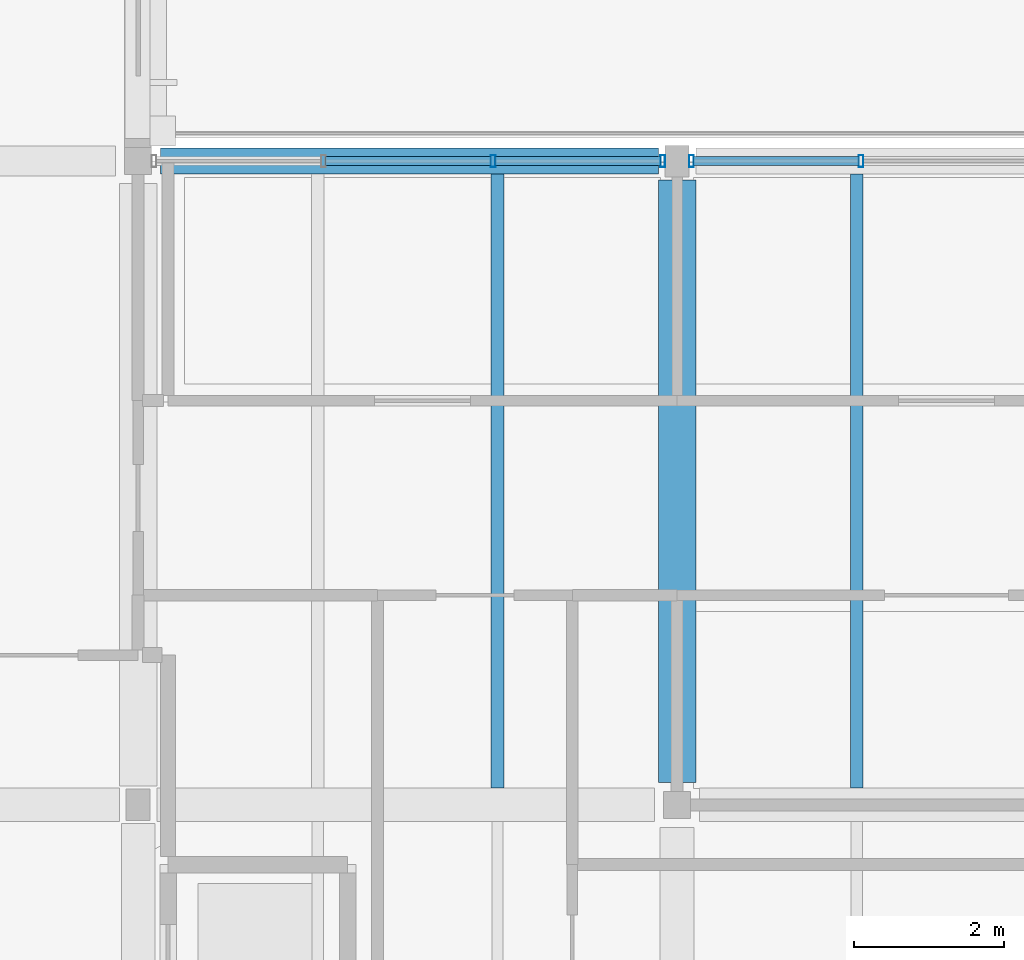
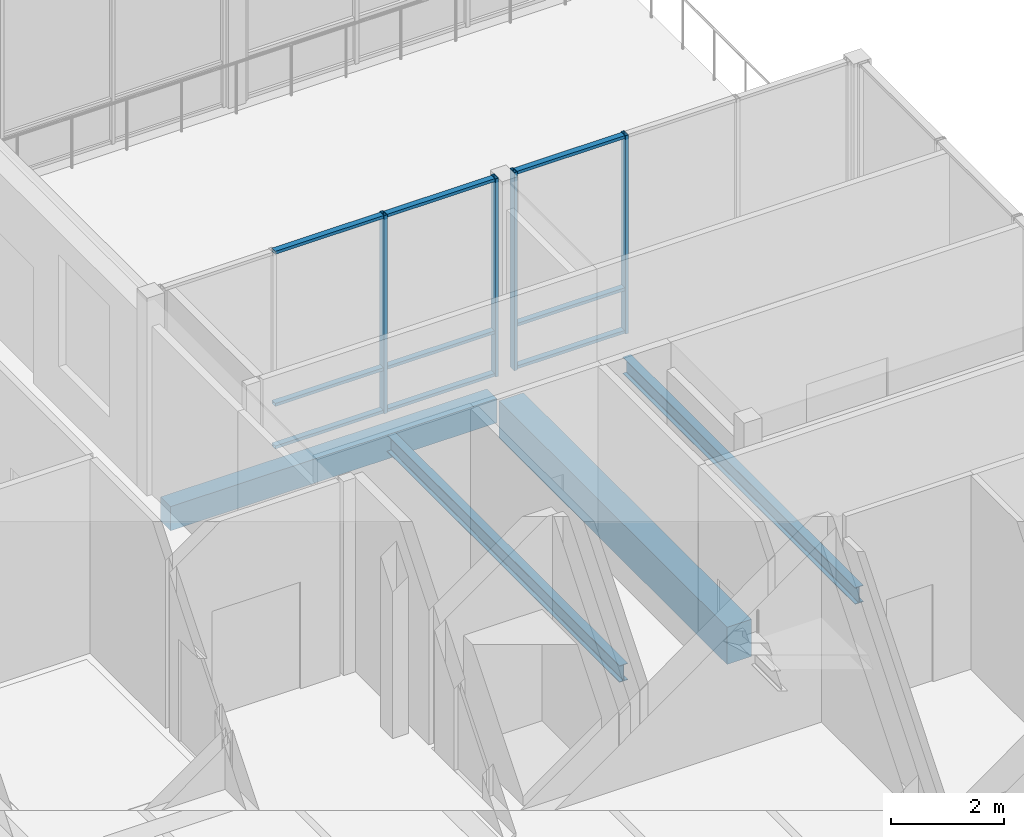
# One storey, part 85 of 146: 13 members, 4 beams, 2 elements without a shape of their own.
"""IFC4 building model written with IfcOpenShell, lengths in metres."""

from ifc_helpers import new_model, si_unit, direction, frame, origin, origin_2d, place, context, subcontext, project, spatial, rectangle, hollow_rectangle, i_section, extrude, material, material_profile, profile_set, type_object, element, aggregate, save


model = new_model("IFC4")

# Units and contexts
model_context = context("Model", 3, precision=1e-05, world=origin(), true_north=direction((0.0, 1.0)))
body_context = subcontext(model_context, "Body", "Model", "MODEL_VIEW")
ifc_project = project(units=[si_unit("LENGTHUNIT", "METRE"), si_unit("AREAUNIT", "SQUARE_METRE"), si_unit("VOLUMEUNIT", "CUBIC_METRE"), si_unit("PLANEANGLEUNIT", "RADIAN"), si_unit("MASSUNIT", "GRAM", prefix="KILO")], contexts=[model_context])

# Site, building, storey
site_placement = place(None, origin())
site = spatial("IfcSite", under=ifc_project, at=site_placement, CompositionType="ELEMENT")
building_placement = place(site_placement, origin())
building = spatial("IfcBuilding", under=site, at=building_placement, Name="Hawrajan Terrace Health Centre", CompositionType="ELEMENT")
storey_placement = place(building_placement, frame((0.0, 0.0, 4.5)))
storey = spatial("IfcBuildingStorey", under=building, at=storey_placement, Name="L01", CompositionType="ELEMENT", Elevation=4.5)

# Curtain wall, members
ifc_material_1 = material(Name="Anodized bronze aluminium and low-E solar glazing", Category="aluminium")
curtain_wall_type_1 = type_object("IfcCurtainWallType", Name="CW_Pavilion_SeriesE1", PredefinedType="USERDEFINED", material=ifc_material_1)
curtain_wall_1_placement = place(storey_placement, origin())
curtain_wall_1 = element("IfcCurtainWall", 1, at=curtain_wall_1_placement, inside=storey, type_object=curtain_wall_type_1, Name="Curtain wall CW-L01-108", ObjectType="UNITISED CURTAIN WALL", PredefinedType="USERDEFINED")
ifc_material_2 = material(Name="Anodized bronze aluminium 6063-T6", Category="aluminium")
ifc_material_profile_1 = material_profile(ifc_material_2, hollow_rectangle(XDim=0.06494140625, YDim=0.159912109375, WallThickness=0.00390625, at=origin_2d()), Name="CW MUL 65x160")
ifc_profile_set_1 = profile_set([ifc_material_profile_1], Name="Anodized bronze aluminium 6063-T6")
member_type_1 = type_object("IfcMemberType", Name="CWMullion_65x160", PredefinedType="MULLION", material=ifc_profile_set_1)
member_1_placement = place(storey_placement, frame((155.742431640625, 27.199951171875, -0.0048828125), z_axis=(0.0, 0.0, 1.0), x_axis=(1.0, 0.0, 0.0)))
member_1 = element("IfcMember", 2, at=member_1_placement, type_object=member_type_1, Name="Mullion CW-L01-108-M3", PredefinedType="MULLION", context=body_context, shape_type="SweptSolid", body=[
    extrude(hollow_rectangle(XDim=0.06494140625, YDim=0.159912109375, WallThickness=0.00390625, at=origin_2d()), origin(), (0.0, 0.0, 1.0), 4.269775390625),
])
member_2_placement = place(storey_placement, frame((158.007568359375, 27.199951171875, -0.0048828125), z_axis=(0.0, 0.0, 1.0), x_axis=(1.0, 0.0, 0.0)))
member_2 = element("IfcMember", 3, at=member_2_placement, type_object=member_type_1, Name="Mullion CW-L01-108-M4", PredefinedType="MULLION", context=body_context, shape_type="SweptSolid", body=[
    extrude(hollow_rectangle(XDim=0.06494140625, YDim=0.159912109375, WallThickness=0.00390625, at=origin_2d()), origin(), (0.0, 0.0, 1.0), 4.269775390625),
])

curtain_wall_type_2 = type_object("IfcCurtainWallType", Name="CW_Garden_SeriesF2", PredefinedType="USERDEFINED", material=ifc_material_1)
curtain_wall_2_placement = place(storey_placement, origin())
curtain_wall_2 = element("IfcCurtainWall", 4, at=curtain_wall_2_placement, inside=storey, type_object=curtain_wall_type_2, Name="Curtain wall CW-L01-111", ObjectType="UNITISED CURTAIN WALL", PredefinedType="USERDEFINED")
member_3_placement = place(storey_placement, frame((158.392578125, 27.199951171875, -0.0048828125), z_axis=(0.0, 0.0, 1.0), x_axis=(1.0, 0.0, 0.0)))
member_3 = element("IfcMember", 5, at=member_3_placement, type_object=member_type_1, Name="Mullion CW-L01-111-M1", PredefinedType="MULLION", context=body_context, shape_type="SweptSolid", body=[
    extrude(hollow_rectangle(XDim=0.06494140625, YDim=0.159912109375, WallThickness=0.00390625, at=origin_2d()), origin(), (0.0, 0.0, 1.0), 4.269775390625),
])
member_4_placement = place(storey_placement, frame((160.657470703125, 27.199951171875, -0.0048828125), z_axis=(0.0, 0.0, 1.0), x_axis=(1.0, 0.0, 0.0)))
member_4 = element("IfcMember", 6, at=member_4_placement, type_object=member_type_1, Name="Mullion CW-L01-111-M2", PredefinedType="MULLION", context=body_context, shape_type="SweptSolid", body=[
    extrude(hollow_rectangle(XDim=0.06494140625, YDim=0.159912109375, WallThickness=0.00390625, at=origin_2d()), origin(), (0.0, 0.0, 1.0), 4.269775390625),
])

# Member
ifc_material_profile_2 = material_profile(ifc_material_2, hollow_rectangle(XDim=0.06494140625, YDim=0.1201171875, WallThickness=0.00341796875, at=origin_2d()), Name="CW TRN 65x120")
ifc_profile_set_2 = profile_set([ifc_material_profile_2], Name="Anodized bronze aluminium 6063-T6")
member_type_2 = type_object("IfcMemberType", Name="CWTransom_65x120", PredefinedType="USERDEFINED", material=ifc_profile_set_2)
member_5_placement = place(storey_placement, frame((153.50390625, 27.199951171875, 0.032470703125), z_axis=(1.0, 0.0, 0.0), x_axis=(0.0, 0.0, 1.0)))
member_5 = element("IfcMember", 7, at=member_5_placement, type_object=member_type_2, Name="Transom CW-L01-108-T2-1", ObjectType="TRANSOM", PredefinedType="USERDEFINED", context=body_context, shape_type="SweptSolid", body=[
    extrude(hollow_rectangle(XDim=0.06494140625, YDim=0.1201171875, WallThickness=0.00341796875, at=origin_2d()), origin(), (0.0, 0.0, 1.0), 2.212158203125),
])

member_6_placement = place(storey_placement, frame((153.50390625, 27.199951171875, 0.949951171875), z_axis=(1.0, 0.0, 0.0), x_axis=(0.0, 0.0, 1.0)))
member_6 = element("IfcMember", 8, at=member_6_placement, type_object=member_type_2, Name="Transom CW-L01-108-T2-2", ObjectType="TRANSOM", PredefinedType="USERDEFINED", context=body_context, shape_type="SweptSolid", body=[
    extrude(hollow_rectangle(XDim=0.06494140625, YDim=0.1201171875, WallThickness=0.00341796875, at=origin_2d()), origin(), (0.0, 0.0, 1.0), 2.212158203125),
])

member_7_placement = place(storey_placement, frame((153.50390625, 27.199951171875, 4.2275390625), z_axis=(1.0, 0.0, 0.0), x_axis=(0.0, 0.0, 1.0)))
member_7 = element("IfcMember", 9, at=member_7_placement, type_object=member_type_2, Name="Transom CW-L01-108-T2-3", ObjectType="TRANSOM", PredefinedType="USERDEFINED", context=body_context, shape_type="SweptSolid", body=[
    extrude(hollow_rectangle(XDim=0.06494140625, YDim=0.1201171875, WallThickness=0.00341796875, at=origin_2d()), origin(), (0.0, 0.0, 1.0), 2.212158203125),
])

member_8_placement = place(storey_placement, frame((155.76904296875, 27.199951171875, 0.032470703125), z_axis=(1.0, 0.0, 0.0), x_axis=(0.0, 0.0, 1.0)))
member_8 = element("IfcMember", 10, at=member_8_placement, type_object=member_type_2, Name="Transom CW-L01-108-T3-1", ObjectType="TRANSOM", PredefinedType="USERDEFINED", context=body_context, shape_type="SweptSolid", body=[
    extrude(hollow_rectangle(XDim=0.06494140625, YDim=0.1201171875, WallThickness=0.00341796875, at=origin_2d()), origin(), (0.0, 0.0, 1.0), 2.2119140625),
])

member_9_placement = place(storey_placement, frame((155.76904296875, 27.199951171875, 0.949951171875), z_axis=(1.0, 0.0, 0.0), x_axis=(0.0, 0.0, 1.0)))
member_9 = element("IfcMember", 11, at=member_9_placement, type_object=member_type_2, Name="Transom CW-L01-108-T3-2", ObjectType="TRANSOM", PredefinedType="USERDEFINED", context=body_context, shape_type="SweptSolid", body=[
    extrude(hollow_rectangle(XDim=0.06494140625, YDim=0.1201171875, WallThickness=0.00341796875, at=origin_2d()), origin(), (0.0, 0.0, 1.0), 2.2119140625),
])

member_10_placement = place(storey_placement, frame((155.76904296875, 27.199951171875, 4.2275390625), z_axis=(1.0, 0.0, 0.0), x_axis=(0.0, 0.0, 1.0)))
member_10 = element("IfcMember", 12, at=member_10_placement, type_object=member_type_2, Name="Transom CW-L01-108-T3-3", ObjectType="TRANSOM", PredefinedType="USERDEFINED", context=body_context, shape_type="SweptSolid", body=[
    extrude(hollow_rectangle(XDim=0.06494140625, YDim=0.1201171875, WallThickness=0.00341796875, at=origin_2d()), origin(), (0.0, 0.0, 1.0), 2.2119140625),
])

aggregate(curtain_wall_1, [member_1, member_2, member_5, member_6, member_7, member_8, member_9, member_10])

member_11_placement = place(storey_placement, frame((158.4189453125, 27.199951171875, 0.032470703125), z_axis=(1.0, 0.0, 0.0), x_axis=(0.0, 0.0, 1.0)))
member_11 = element("IfcMember", 13, at=member_11_placement, type_object=member_type_2, Name="Transom CW-L01-111-T1-1", ObjectType="TRANSOM", PredefinedType="USERDEFINED", context=body_context, shape_type="SweptSolid", body=[
    extrude(hollow_rectangle(XDim=0.06494140625, YDim=0.1201171875, WallThickness=0.00341796875, at=origin_2d()), origin(), (0.0, 0.0, 1.0), 2.212158203125),
])

member_12_placement = place(storey_placement, frame((158.4189453125, 27.199951171875, 0.949951171875), z_axis=(1.0, 0.0, 0.0), x_axis=(0.0, 0.0, 1.0)))
member_12 = element("IfcMember", 14, at=member_12_placement, type_object=member_type_2, Name="Transom CW-L01-111-T1-2", ObjectType="TRANSOM", PredefinedType="USERDEFINED", context=body_context, shape_type="SweptSolid", body=[
    extrude(hollow_rectangle(XDim=0.06494140625, YDim=0.1201171875, WallThickness=0.00341796875, at=origin_2d()), origin(), (0.0, 0.0, 1.0), 2.212158203125),
])

member_13_placement = place(storey_placement, frame((158.4189453125, 27.199951171875, 4.2275390625), z_axis=(1.0, 0.0, 0.0), x_axis=(0.0, 0.0, 1.0)))
member_13 = element("IfcMember", 15, at=member_13_placement, type_object=member_type_2, Name="Transom CW-L01-111-T1-3", ObjectType="TRANSOM", PredefinedType="USERDEFINED", context=body_context, shape_type="SweptSolid", body=[
    extrude(hollow_rectangle(XDim=0.06494140625, YDim=0.1201171875, WallThickness=0.00341796875, at=origin_2d()), origin(), (0.0, 0.0, 1.0), 2.212158203125),
])

aggregate(curtain_wall_2, [member_3, member_4, member_11, member_12, member_13])

# Beams
ifc_material_3 = material(Name="Concrete C40/50", Category="concrete")
ifc_material_profile_3 = material_profile(ifc_material_3, rectangle(XDim=0.5, YDim=0.800048828125, at=origin_2d()), Name="RC BM 500x800")
ifc_profile_set_3 = profile_set([ifc_material_profile_3], Name="Concrete C40/50")
beam_type_1 = type_object("IfcBeamType", Name="RCGirder_500x800", PredefinedType="BEAM", material=ifc_profile_set_3)
beam_1_placement = place(storey_placement, frame((158.199951171875, 18.89990234375, -0.800048828125), z_axis=(0.0, 1.0, 0.0), x_axis=(-1.0, 0.0, 0.0)))
element("IfcBeam", 16, at=beam_1_placement, inside=storey, type_object=beam_type_1, Name="Beam BM-Y-L01-E-X21-3", PredefinedType="BEAM", context=body_context, shape_type="SweptSolid", body=[
    extrude(rectangle(XDim=0.5, YDim=0.800048828125, at=origin_2d()), origin(), (0.0, 0.0, 1.0), 8.050048828125),
])
ifc_material_profile_4 = material_profile(ifc_material_3, rectangle(XDim=0.35009765625, YDim=0.52001953125, at=origin_2d()), Name="RC SP 350x520")
ifc_profile_set_4 = profile_set([ifc_material_profile_4], Name="Concrete C40/50")
beam_type_2 = type_object("IfcBeamType", Name="RCSpandrel_350x520", PredefinedType="SPANDREL", material=ifc_profile_set_4)
beam_2_placement = place(storey_placement, frame((151.300048828125, 27.199951171875, -0.659912109375), z_axis=(1.0, 0.0, 0.0), x_axis=(0.0, 1.0, 0.0)))
element("IfcBeam", 17, at=beam_2_placement, inside=storey, type_object=beam_type_2, Name="Beam BM-X-L01-E-20-Y4", PredefinedType="SPANDREL", context=body_context, shape_type="SweptSolid", body=[
    extrude(rectangle(XDim=0.35009765625, YDim=0.52001953125, at=origin_2d()), origin(), (0.0, 0.0, 1.0), 6.64990234375),
])
ifc_material_4 = material(Name="Steel S355", Category="steel")
ifc_material_profile_5 = material_profile(ifc_material_4, i_section(OverallWidth=0.169921875, OverallDepth=0.360107421875, WebThickness=0.008056640625, FlangeThickness=0.0126953125, FilletRadius=0.01806640625, at=origin_2d()), Name="IPE 360")
ifc_profile_set_5 = profile_set([ifc_material_profile_5], Name="Steel S355")
beam_type_3 = type_object("IfcBeamType", Name="SteelBeam_IPE360", PredefinedType="BEAM", material=ifc_profile_set_5)
for number, where, z_axis, x_axis, name in (
    (18, (155.800048828125, 18.824951171875, -0.580078125), (0.0, 1.0, 0.0), (-1.0, 0.0, 0.0), "Secondary joist JST-L01-E-20-3-2"),
    (19, (160.60009765625, 18.824951171875, -0.580078125), (0.0, 1.0, 0.0), (-1.0, 0.0, 0.0), "Secondary joist JST-L01-E-21-3-1"),
):
    element("IfcBeam", number, at=place(storey_placement, frame(where, z_axis=z_axis, x_axis=x_axis)), inside=storey, type_object=beam_type_3, Name=name, PredefinedType="BEAM", context=body_context, shape_type="SweptSolid", body=[
        extrude(i_section(OverallWidth=0.169921875, OverallDepth=0.360107421875, WebThickness=0.008056640625, FlangeThickness=0.0126953125, FilletRadius=0.01806640625, at=origin_2d()), origin(), (0.0, 0.0, 1.0), 8.199951171875),
    ])

save(model, "model.ifc")
